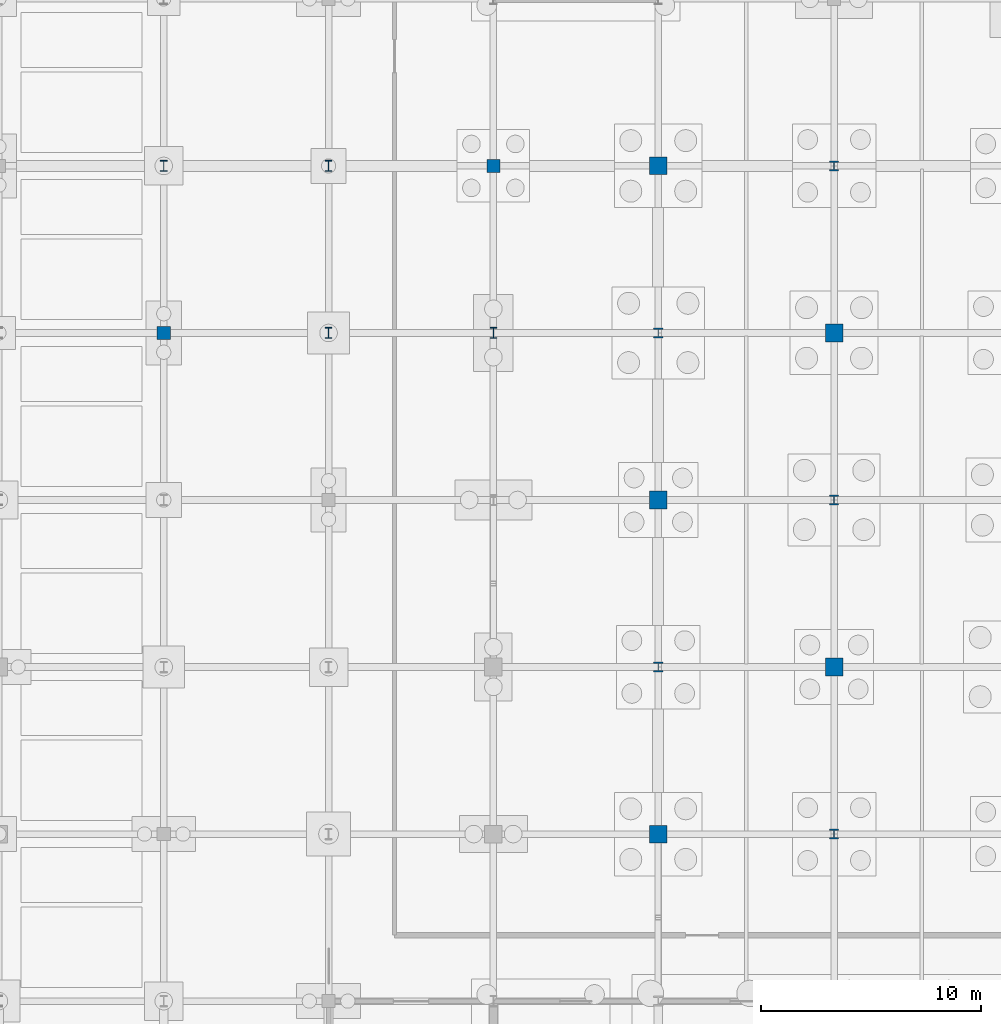
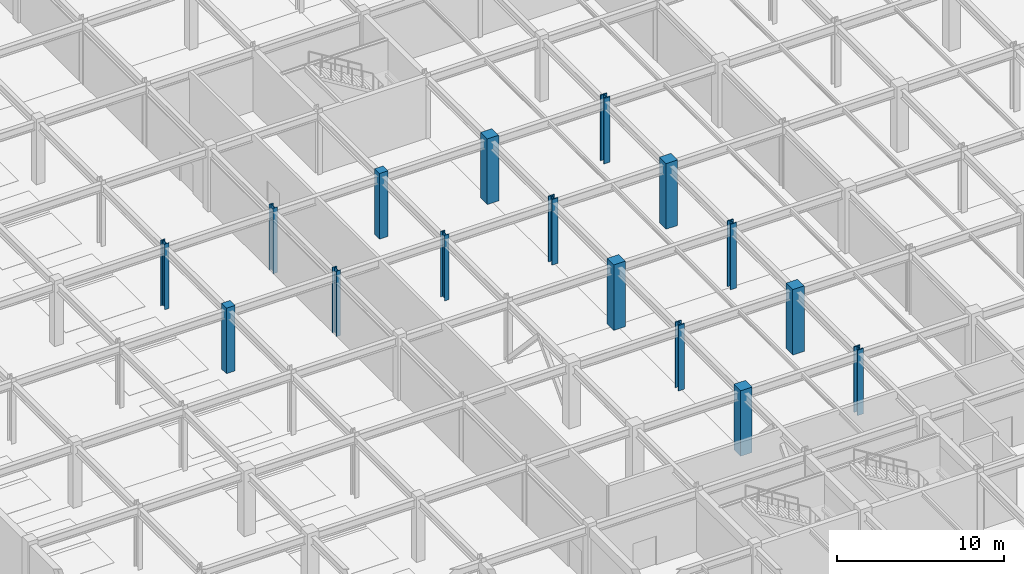
# One storey, part 12 of 53: 16 columns.
"""IFC4 building model written with IfcOpenShell, lengths in metres."""

import ifcopenshell
import ifcopenshell.guid

model = None  # the IFC model being written
_history = None  # IfcOwnerHistory: only IFC2X3 demands one
_inside = {}  # id of a spatial element -> (the spatial element, [elements in it])
_under = {}  # id of a project, library or spatial element -> (it, [spatial elements below it])
_declared = {}  # id of a project -> (the project, [libraries it declares])
_typed = {}  # id of a type object -> (the type object, [elements of that type])
_made_of = {}  # id of a material, layer set ... -> (it, [elements and type objects made of it])


def new_model(schema):
    """Start an empty IFC model of exactly this schema.

    Asked for "IFC4X3", IfcOpenShell would pick the latest addendum, in which some entities
    have other attributes; the version numbers below select the first issue.
    IFC2X3 requires an IfcOwnerHistory on every rooted entity: one is made here for all.
    """
    global model, _history
    if schema == "IFC4X3":
        model = ifcopenshell.file(schema_version=(4, 3, 0, 0))
    else:
        model = ifcopenshell.file(schema=schema)
    _inside.clear()
    _under.clear()
    _declared.clear()
    _typed.clear()
    _made_of.clear()
    _history = None
    if model.schema == "IFC2X3":
        org = make("IfcOrganization", Name="unknown")
        user = make(
            "IfcPersonAndOrganization",
            ThePerson=make("IfcPerson", FamilyName="unknown"),
            TheOrganization=org,
        )
        app = make(
            "IfcApplication",
            ApplicationDeveloper=org,
            Version="unknown",
            ApplicationFullName="unknown",
            ApplicationIdentifier="unknown",
        )
        _history = make(
            "IfcOwnerHistory",
            OwningUser=user,
            OwningApplication=app,
            ChangeAction="ADDED",
            CreationDate=0,
        )
    return model


def make(cls, **values):
    """One entity of the class cls with the attributes given. An attribute that is None is left unset."""
    return model.create_entity(
        cls, **{name: value for name, value in values.items() if value is not None}
    )


def rooted(cls, **values):
    """An entity with a GlobalId (a new one), such as an element, a storey or a relation."""
    return make(cls, GlobalId=ifcopenshell.guid.new(), OwnerHistory=_history, **values)


def si_unit(unit_type, name, prefix=None):
    """IfcSIUnit, for example si_unit("LENGTHUNIT", "METRE", prefix="MILLI")."""
    return make("IfcSIUnit", UnitType=unit_type, Prefix=prefix, Name=name)


def assignment(units):
    """IfcUnitAssignment: the units of a project."""
    return None if units is None else make("IfcUnitAssignment", Units=units)


def point(xyz):
    """IfcCartesianPoint."""
    return None if xyz is None else make("IfcCartesianPoint", Coordinates=xyz)


def direction(xyz):
    """IfcDirection."""
    return None if xyz is None else make("IfcDirection", DirectionRatios=xyz)


def frame(location, z_axis=None, x_axis=None):
    """IfcAxis2Placement3D, a coordinate frame: its origin and axes. An axis left out is left unset."""
    return make(
        "IfcAxis2Placement3D",
        Location=point(location),
        Axis=direction(z_axis),
        RefDirection=direction(x_axis),
    )


def frame_2d(location, x_axis=None):
    """IfcAxis2Placement2D, a coordinate frame in the plane: its origin and x axis."""
    return make(
        "IfcAxis2Placement2D", Location=point(location), RefDirection=direction(x_axis)
    )


def origin():
    """The frame at (0, 0, 0) with its axes left unset."""
    return frame((0.0, 0.0, 0.0))


def origin_2d():
    """The frame at (0, 0) in the plane with its x axis left unset."""
    return frame_2d((0.0, 0.0))


def place(relative_to, where):
    """IfcLocalPlacement: puts the frame where relative to a parent placement (None: the world)."""
    return make(
        "IfcLocalPlacement", PlacementRelTo=relative_to, RelativePlacement=where
    )


def context(
    kind, dimensions, precision=None, world=None, true_north=None, identifier=None
):
    """IfcGeometricRepresentationContext, for example the 3D "Model" context."""
    return make(
        "IfcGeometricRepresentationContext",
        ContextIdentifier=identifier,
        ContextType=kind,
        CoordinateSpaceDimension=dimensions,
        Precision=precision,
        WorldCoordinateSystem=world,
        TrueNorth=true_north,
    )


def subcontext(parent, identifier, kind, view, scale=None):
    """IfcGeometricRepresentationSubContext, for example "Body" below "Model"."""
    return make(
        "IfcGeometricRepresentationSubContext",
        ContextIdentifier=identifier,
        ContextType=kind,
        ParentContext=parent,
        TargetScale=scale,
        TargetView=view,
    )


def project(units=None, contexts=None):
    """IfcProject with its units and contexts."""
    return rooted(
        "IfcProject",
        Name="project",
        RepresentationContexts=contexts,
        UnitsInContext=assignment(units),
    )


def spatial(cls, under=None, at=None, **own):
    """A site, building, storey or space (cls), placed at a placement, below another one or the project."""
    s = rooted(cls, ObjectPlacement=at, **own)
    if under is not None:
        _under.setdefault(under.id(), (under, []))[1].append(s)
    return s


def profile(cls, at=None, kind="AREA", **sizes):
    """A parametric profile (cls). Its sizes go by their IFC names, for example OverallWidth=200.0."""
    return make(cls, ProfileType=kind, Position=at, **sizes)


def rectangle(**sizes):
    """IfcRectangleProfileDef."""
    return profile("IfcRectangleProfileDef", **sizes)


def i_section(**sizes):
    """IfcIShapeProfileDef."""
    return profile("IfcIShapeProfileDef", **sizes)


def extrude(swept, where, along, depth):
    """IfcExtrudedAreaSolid: the profile swept, set in the frame where, extruded along a direction by depth."""
    return make(
        "IfcExtrudedAreaSolid",
        SweptArea=swept,
        Position=where,
        ExtrudedDirection=direction(along),
        Depth=depth,
    )


def shape(context_of_items, identifier, shape_type, items):
    """IfcShapeRepresentation: the items that make up one representation, for example the "Body"."""
    return make(
        "IfcShapeRepresentation",
        ContextOfItems=context_of_items,
        RepresentationIdentifier=identifier,
        RepresentationType=shape_type,
        Items=items,
    )


def material(Name=None, Category=None):
    """IfcMaterial."""
    return make("IfcMaterial", Name=Name, Category=Category)


def material_profile(
    of_material, cross_section, Name=None, Category=None, Priority=None
):
    """IfcMaterialProfile: a cross section and its material."""
    return make(
        "IfcMaterialProfile",
        Name=Name,
        Material=of_material,
        Profile=cross_section,
        Priority=Priority,
        Category=Category,
    )


def profile_set(profiles, Name=None, composite=None):
    """IfcMaterialProfileSet."""
    return make(
        "IfcMaterialProfileSet",
        Name=Name,
        MaterialProfiles=profiles,
        CompositeProfile=composite,
    )


def made_of(thing, what):
    """Note that an element or type object is made of a material, layer set ...; save() writes the relation."""
    if what is not None:
        _made_of.setdefault(what.id(), (what, []))[1].append(thing)
    return thing


def type_object(cls, material=None, **own):
    """A type object (cls), such as IfcWallType, which elements share."""
    return made_of(rooted(cls, **own), material)


def element(
    cls,
    number,
    at=None,
    inside=None,
    cuts=None,
    type_object=None,
    material=None,
    context=None,
    identifier="Body",
    shape_type=None,
    held_by="IfcProductDefinitionShape",
    body=None,
    shapes=None,
    **own,
):
    """One element of the class cls, such as IfcWall. Its Tag is "e" and its number.

    at: its placement. inside: the storey or other place that contains it. cuts: it is an
    opening in that element (IfcRelVoidsElement). A single representation is given by context,
    identifier, shape_type and body (its items); several are given by shapes. held_by: the class
    of the entity that holds the representations. save() writes the other relations.
    """
    e = rooted(cls, Tag="e%d" % number, ObjectPlacement=at, **own)
    if body is not None:
        shapes = [shape(context, identifier, shape_type, body)]
    if shapes is not None:
        e.Representation = make(held_by, Representations=shapes)
    if inside is not None:
        _inside.setdefault(inside.id(), (inside, []))[1].append(e)
    if cuts is not None:
        rooted(
            "IfcRelVoidsElement", RelatingBuildingElement=cuts, RelatedOpeningElement=e
        )
    if type_object is not None:
        _typed.setdefault(type_object.id(), (type_object, []))[1].append(e)
    return made_of(e, material)


def aggregate(whole, parts):
    """IfcRelAggregates: a whole, such as a stair, and the parts it consists of."""
    return rooted("IfcRelAggregates", RelatingObject=whole, RelatedObjects=parts)


def save(model, path):
    """Write the relations noted so far, then the file.

    IfcRelAggregates (storeys below a building ...), IfcRelContainedInSpatialStructure (elements
    in a storey), IfcRelDefinesByType, IfcRelAssociatesMaterial and IfcRelDeclares: one each for
    every whole, place, type object, material and project.
    """
    for whole, parts in _under.values():
        aggregate(whole, parts)
    for where, things in _inside.values():
        rooted(
            "IfcRelContainedInSpatialStructure",
            RelatedElements=things,
            RelatingStructure=where,
        )
    for kind, things in _typed.values():
        rooted("IfcRelDefinesByType", RelatedObjects=things, RelatingType=kind)
    for what, things in _made_of.values():
        rooted("IfcRelAssociatesMaterial", RelatedObjects=things, RelatingMaterial=what)
    for by, libraries in _declared.values():
        rooted("IfcRelDeclares", RelatingContext=by, RelatedDefinitions=libraries)
    model.write(path)


model = new_model("IFC4")

# Units and contexts
model_context = context("Model", 3, precision=1e-05, world=origin(), true_north=direction((0.0, 1.0)))
body_context = subcontext(model_context, "Body", "Model", "MODEL_VIEW")
ifc_project = project(units=[si_unit("LENGTHUNIT", "METRE"), si_unit("AREAUNIT", "SQUARE_METRE"), si_unit("VOLUMEUNIT", "CUBIC_METRE"), si_unit("PLANEANGLEUNIT", "RADIAN"), si_unit("MASSUNIT", "GRAM", prefix="KILO")], contexts=[model_context])

# Site, building, storey
site_placement = place(None, origin())
site = spatial("IfcSite", under=ifc_project, at=site_placement, CompositionType="ELEMENT")
building_placement = place(site_placement, origin())
building = spatial("IfcBuilding", under=site, at=building_placement, Name="Shalkamar Park Central Library", CompositionType="ELEMENT")
storey_placement = place(building_placement, frame((0.0, 0.0, -4.800048828125)))
storey = spatial("IfcBuildingStorey", under=building, at=storey_placement, Name="B1", CompositionType="ELEMENT", Elevation=-4.800048828125)

# Columns
ifc_material_1 = material(Name="Concrete C40/50", Category="concrete")
ifc_material_profile_1 = material_profile(ifc_material_1, rectangle(XDim=0.60009765625, YDim=0.60009765625, at=origin_2d()), Name="RC 600x600")
ifc_profile_set_1 = profile_set([ifc_material_profile_1], Name="Concrete C40/50")
column_type_1 = type_object("IfcColumnType", Name="Column Concrete RC600", PredefinedType="COLUMN", material=ifc_profile_set_1)
for number, where, z_axis, x_axis, name in (
    (1, (142.5, 285.60009765625, 0.0), (0.0, 0.0, 1.0), (1.0, 0.0, 0.0), "Column 04/G (B1)"),
    (2, (157.5, 293.199951171875, 0.0), (0.0, 0.0, 1.0), (1.0, 0.0, 0.0), "Column 06/H (B1)"),
):
    element("IfcColumn", number, at=place(storey_placement, frame(where, z_axis=z_axis, x_axis=x_axis)), inside=storey, type_object=column_type_1, Name=name, PredefinedType="COLUMN", context=body_context, shape_type="SweptSolid", body=[
        extrude(rectangle(XDim=0.60009765625, YDim=0.60009765625, at=origin_2d()), origin(), (0.0, 0.0, 1.0), 4.800048828125),
    ])
ifc_material_profile_2 = material_profile(ifc_material_1, rectangle(XDim=0.800048828125, YDim=0.800048828125, at=origin_2d()), Name="RC 800x800")
ifc_profile_set_2 = profile_set([ifc_material_profile_2], Name="Concrete C40/50")
column_type_2 = type_object("IfcColumnType", Name="Column Concrete RC800", PredefinedType="COLUMN", material=ifc_profile_set_2)
for number, where, z_axis, x_axis, name in (
    (3, (165.0, 262.800048828125, 0.0), (0.0, 0.0, 1.0), (1.0, 0.0, 0.0), "Column 07/D (B1)"),
    (4, (165.0, 278.0, 0.0), (0.0, 0.0, 1.0), (1.0, 0.0, 0.0), "Column 07/F (B1)"),
    (5, (165.0, 293.199951171875, 0.0), (0.0, 0.0, 1.0), (1.0, 0.0, 0.0), "Column 07/H (B1)"),
    (6, (173.0, 270.39990234375, 0.0), (0.0, 0.0, 1.0), (1.0, 0.0, 0.0), "Column 08/E (B1)"),
    (7, (173.0, 285.60009765625, 0.0), (0.0, 0.0, 1.0), (1.0, 0.0, 0.0), "Column 08/G (B1)"),
):
    element("IfcColumn", number, at=place(storey_placement, frame(where, z_axis=z_axis, x_axis=x_axis)), inside=storey, type_object=column_type_2, Name=name, PredefinedType="COLUMN", context=body_context, shape_type="SweptSolid", body=[
        extrude(rectangle(XDim=0.800048828125, YDim=0.800048828125, at=origin_2d()), origin(), (0.0, 0.0, 1.0), 4.800048828125),
    ])
ifc_material_2 = material(Name="Steel S355", Category="steel")
ifc_material_profile_3 = material_profile(ifc_material_2, i_section(OverallWidth=0.41796875, OverallDepth=0.455078125, WebThickness=0.0419921875, FlangeThickness=0.067626953125, FilletRadius=0.014892578125, at=origin_2d()), Name="HD 400x551")
ifc_profile_set_3 = profile_set([ifc_material_profile_3], Name="Steel S355")
column_type_3 = type_object("IfcColumnType", Name="Column Steel HD400x551", PredefinedType="COLUMN", material=ifc_profile_set_3)
for number, where, z_axis, x_axis, name in (
    (8, (165.0, 270.39990234375, 0.0), (0.0, 0.0, 1.0), (1.0, 0.0, 0.0), "Column 07/E (B1)"),
    (9, (165.0, 285.60009765625, 0.0), (0.0, 0.0, 1.0), (1.0, 0.0, 0.0), "Column 07/G (B1)"),
    (10, (173.0, 262.800048828125, 0.0), (0.0, 0.0, 1.0), (1.0, 0.0, 0.0), "Column 08/D (B1)"),
    (11, (173.0, 278.0, 0.0), (0.0, 0.0, 1.0), (1.0, 0.0, 0.0), "Column 08/F (B1)"),
    (12, (173.0, 293.199951171875, 0.0), (0.0, 0.0, 1.0), (1.0, 0.0, 0.0), "Column 08/H (B1)"),
):
    element("IfcColumn", number, at=place(storey_placement, frame(where, z_axis=z_axis, x_axis=x_axis)), inside=storey, type_object=column_type_3, Name=name, PredefinedType="COLUMN", context=body_context, shape_type="SweptSolid", body=[
        extrude(i_section(OverallWidth=0.41796875, OverallDepth=0.455078125, WebThickness=0.0419921875, FlangeThickness=0.067626953125, FilletRadius=0.014892578125, at=origin_2d()), origin(), (0.0, 0.0, 1.0), 4.800048828125),
    ])
ifc_material_profile_4 = material_profile(ifc_material_2, i_section(OverallWidth=0.300048828125, OverallDepth=0.5, WebThickness=0.014404296875, FlangeThickness=0.028076171875, FilletRadius=0.027099609375, at=origin_2d()), Name="HEB 500")
ifc_profile_set_4 = profile_set([ifc_material_profile_4], Name="Steel S355")
column_type_4 = type_object("IfcColumnType", Name="Column Steel HEB500", PredefinedType="COLUMN", material=ifc_profile_set_4)
for number, where, z_axis, x_axis, name in (
    (13, (142.5, 293.199951171875, 0.0), (0.0, 0.0, 1.0), (1.0, 0.0, 0.0), "Column 04/H (B1)"),
    (14, (150.0, 285.60009765625, 0.0), (0.0, 0.0, 1.0), (1.0, 0.0, 0.0), "Column 05/G (B1)"),
    (15, (150.0, 293.199951171875, 0.0), (0.0, 0.0, 1.0), (1.0, 0.0, 0.0), "Column 05/H (B1)"),
    (16, (157.5, 285.60009765625, 0.0), (0.0, 0.0, 1.0), (1.0, 0.0, 0.0), "Column 06/G (B1)"),
):
    element("IfcColumn", number, at=place(storey_placement, frame(where, z_axis=z_axis, x_axis=x_axis)), inside=storey, type_object=column_type_4, Name=name, PredefinedType="COLUMN", context=body_context, shape_type="SweptSolid", body=[
        extrude(i_section(OverallWidth=0.300048828125, OverallDepth=0.5, WebThickness=0.014404296875, FlangeThickness=0.028076171875, FilletRadius=0.027099609375, at=origin_2d()), origin(), (0.0, 0.0, 1.0), 4.800048828125),
    ])

save(model, "model.ifc")
